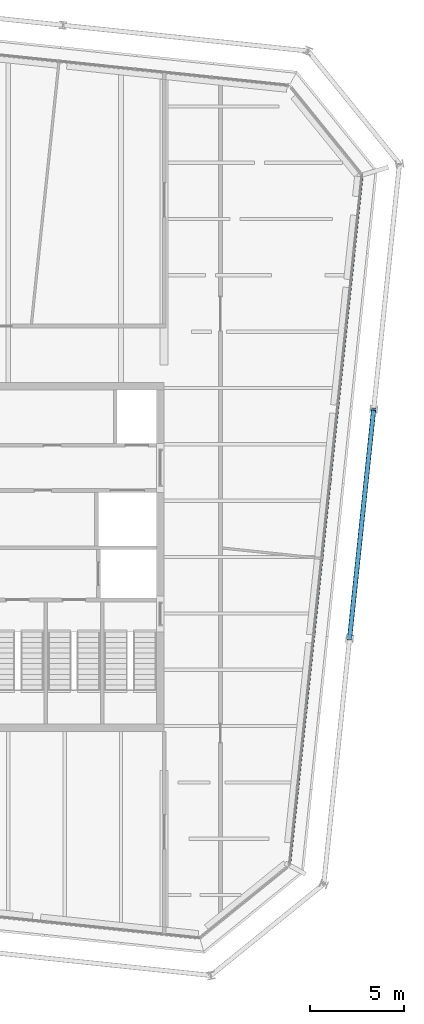
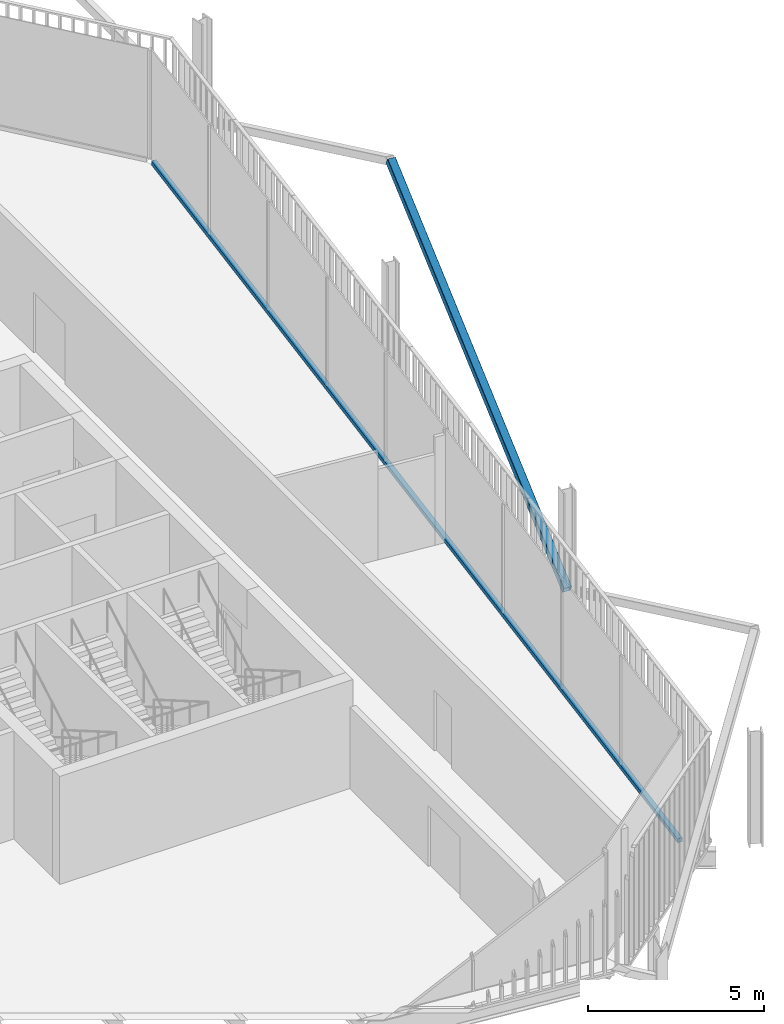
# One storey, part 10 of 21: 2 members, 1 element without a shape of its own.
"""IFC4 building model written with IfcOpenShell, lengths in metres."""

from ifc_helpers import new_model, si_unit, direction, frame, origin, origin_2d, place, context, subcontext, project, spatial, rectangle, hollow_rectangle, extrude, material, layer, layer_set, material_profile, profile_set, type_object, element, aggregate, save


model = new_model("IFC4")

# Units and contexts
model_context = context("Model", 3, precision=1e-05, world=origin(), true_north=direction((0.0, 1.0)))
body_context = subcontext(model_context, "Body", "Model", "MODEL_VIEW")
ifc_project = project(units=[si_unit("LENGTHUNIT", "METRE"), si_unit("AREAUNIT", "SQUARE_METRE"), si_unit("VOLUMEUNIT", "CUBIC_METRE"), si_unit("PLANEANGLEUNIT", "RADIAN"), si_unit("MASSUNIT", "GRAM", prefix="KILO")], contexts=[model_context])

# Site, building, storey
site_placement = place(None, origin())
site = spatial("IfcSite", under=ifc_project, at=site_placement, CompositionType="ELEMENT")
building_placement = place(site_placement, origin())
building = spatial("IfcBuilding", under=site, at=building_placement, Name="Millrace Tower", CompositionType="ELEMENT")
storey_placement = place(building_placement, frame((0.0, 0.0, 276.0)))
storey = spatial("IfcBuildingStorey", under=building, at=storey_placement, Name="L63", CompositionType="ELEMENT", Elevation=276.0)

# Curtain wall, member
ifc_material_1 = material(Name="Aluminium and glass", Category="aluminium")
ifc_layer = layer(ifc_material_1, 0.14990234375)
ifc_layer_set = layer_set([ifc_layer], Name="Aluminium and glass")
curtain_wall_type = type_object("IfcCurtainWallType", Name="CW-1 office vision curtain wall", PredefinedType="NOTDEFINED", material=ifc_layer_set)
curtain_wall_placement = place(storey_placement, origin())
curtain_wall = element("IfcCurtainWall", 1, at=curtain_wall_placement, inside=storey, type_object=curtain_wall_type, Name="Curtain wall E-F04 L63", PredefinedType="NOTDEFINED")
ifc_material_2 = material(Name="Aluminium", Category="aluminium")
ifc_material_profile_1 = material_profile(ifc_material_2, rectangle(XDim=0.14990234375, YDim=0.139892578125, at=origin_2d()))
ifc_profile_set_1 = profile_set([ifc_material_profile_1], Name="Aluminium")
member_type_1 = type_object("IfcMemberType", Name="CW-1 office vision curtain wall transom", PredefinedType="USERDEFINED", material=ifc_profile_set_1)
member_1_placement = place(storey_placement, frame((20.98193359375, -16.285400390625, 0.070068359375), z_axis=(0.104527916025, 0.994521952886, 0.0), x_axis=(-0.994521952886, 0.104527916025, 0.0)))
member_1 = element("IfcMember", 2, at=member_1_placement, type_object=member_type_1, Name="CW1 transom E-F04.1", ObjectType="TRANSOM", PredefinedType="USERDEFINED", context=body_context, shape_type="SweptSolid", body=[
    extrude(rectangle(XDim=0.14990234375, YDim=0.139892578125, at=origin_2d()), origin(), (0.0, 0.0, 1.0), 36.699951171875),
])
aggregate(curtain_wall, [member_1])

# Member
ifc_material_3 = material(Name="Steel ASTM A500 Grade C", Category="steel")
ifc_material_profile_2 = material_profile(ifc_material_3, hollow_rectangle(XDim=0.25390625, YDim=0.25390625, WallThickness=0.0126953125, InnerFilletRadius=0.00634765625, OuterFilletRadius=0.01904296875, at=origin_2d()))
ifc_profile_set_2 = profile_set([ifc_material_profile_2], Name="Steel ASTM A500 Grade C")
member_type_2 = type_object("IfcMemberType", Name="Exoskeleton brace HSS10x10x1/2", PredefinedType="BRACE", material=ifc_profile_set_2)
member_2_placement = place(storey_placement, frame((24.171630859375, -4.353271484375, 0.39990234375), z_axis=(0.090844087175, 0.864347159857, 0.494622420713), x_axis=(-0.994522189618, 0.10452566363, 0.0)))
element("IfcMember", 3, at=member_2_placement, inside=storey, type_object=member_type_2, Name="BRC-E-L63-07", PredefinedType="BRACE", context=body_context, shape_type="SweptSolid", body=[
    extrude(hollow_rectangle(XDim=0.25390625, YDim=0.25390625, WallThickness=0.0126953125, InnerFilletRadius=0.00634765625, OuterFilletRadius=0.01904296875, at=origin_2d()), origin(), (0.0, 0.0, 1.0), 14.152099609375),
])

save(model, "model.ifc")
